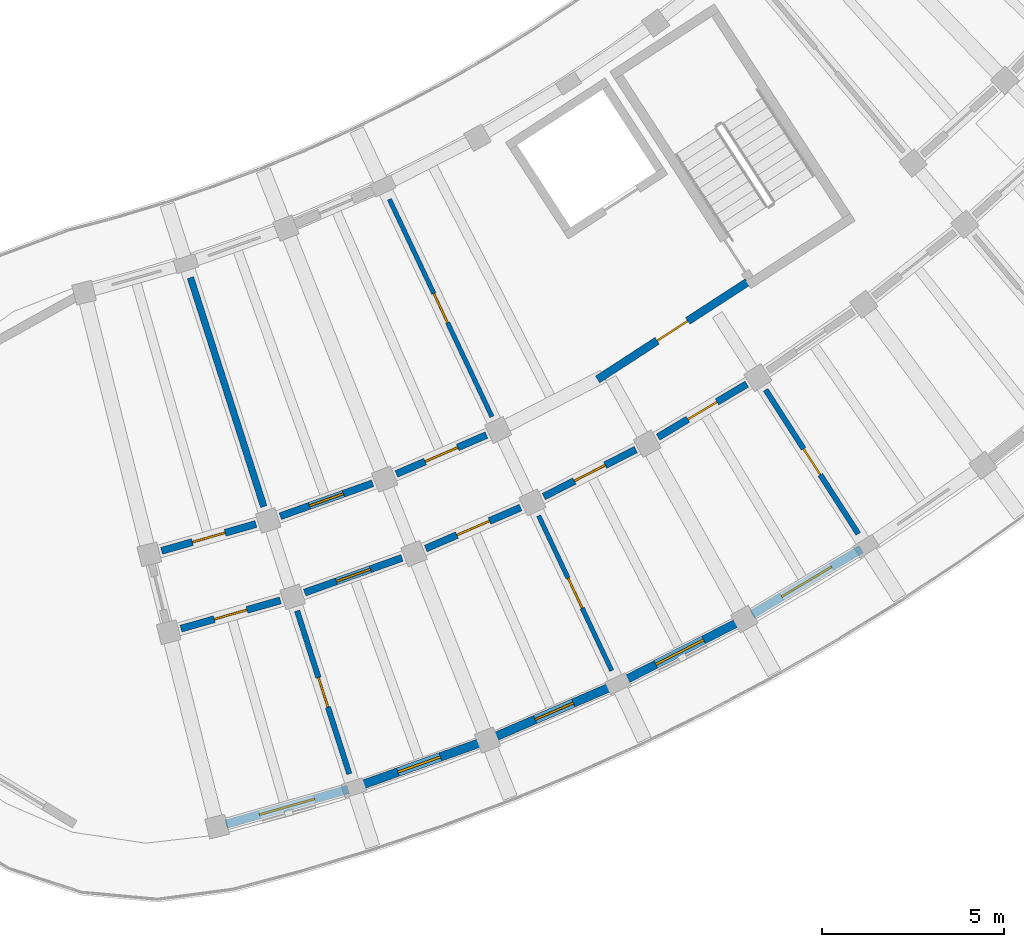
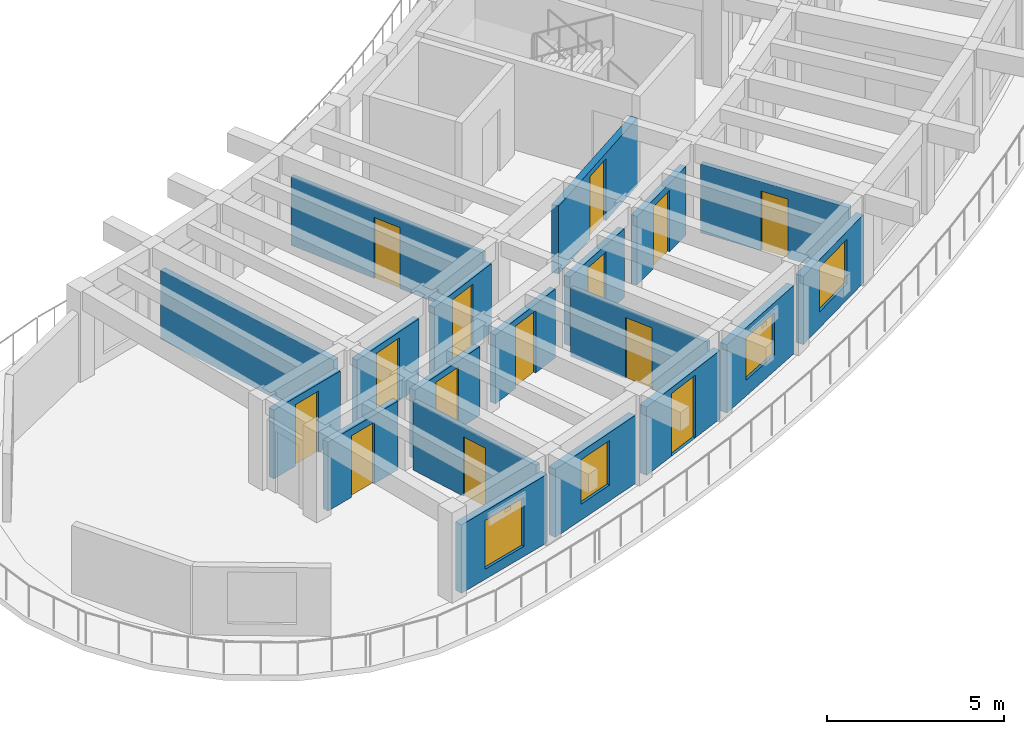
# One storey, part 39 of 69: 19 walls, 14 doors, 4 windows, 18 openings.
"""IFC4 building model written with IfcOpenShell, lengths in metres."""

from ifc_helpers import new_model, si_unit, direction, frame, frame_2d, origin, place, context, subcontext, project, spatial, rectangle, extrude, material, layer, layer_set, type_object, element, fill, save


model = new_model("IFC4")

# Units and contexts
model_context = context("Model", 3, precision=1e-05, world=origin(), true_north=direction((0.0, 1.0)))
body_context = subcontext(model_context, "Body", "Model", "MODEL_VIEW")
ifc_project = project(units=[si_unit("LENGTHUNIT", "METRE"), si_unit("AREAUNIT", "SQUARE_METRE"), si_unit("VOLUMEUNIT", "CUBIC_METRE"), si_unit("PLANEANGLEUNIT", "RADIAN"), si_unit("MASSUNIT", "GRAM", prefix="KILO")], contexts=[model_context])

# Site, building, storey
site_placement = place(None, origin())
site = spatial("IfcSite", under=ifc_project, at=site_placement, CompositionType="ELEMENT")
building_placement = place(site_placement, origin())
building = spatial("IfcBuilding", under=site, at=building_placement, Name="Tanwirah Colonnade Gardens", CompositionType="ELEMENT")
storey_placement = place(building_placement, frame((0.0, 0.0, 15.56005859375)))
storey = spatial("IfcBuildingStorey", under=building, at=storey_placement, Name="L04", CompositionType="ELEMENT", Elevation=15.56005859375)

# Wall, opening, window
ifc_material_1 = material(Name="Limestone architectural precast concrete C40/50", Category="masonry")
ifc_layer_1 = layer(ifc_material_1, 0.239990234375)
ifc_layer_set_1 = layer_set([ifc_layer_1], Name="Limestone architectural precast concrete C40/50")
wall_type_1 = type_object("IfcWallType", Name="EW-PC240", PredefinedType="SOLIDWALL", material=ifc_layer_set_1)
wall_1_placement = place(storey_placement, frame((135.64697265625, 6.787353515625, 0.0), z_axis=(0.0, 0.0, 1.0), x_axis=(0.961871954212, 0.2735001713, 0.0)))
wall_1 = element("IfcWall", 1, at=wall_1_placement, inside=storey, type_object=wall_type_1, Name="Block D L04 OUT Precast Facade Wall 0", PredefinedType="SOLIDWALL", context=body_context, shape_type="SweptSolid", body=[
    extrude(rectangle(XDim=3.48681640625, YDim=0.239990234375, at=frame_2d((1.743408203125, 0.0))), origin(), (0.0, 0.0, 1.0), 2.35498046875),
])
opening_1_placement = place(wall_1_placement, frame((0.953369140625, 0.0, 0.35009765625)))
opening_1 = element("IfcOpeningElement", 2, at=opening_1_placement, cuts=wall_1, Name="Opening WIN-T20", PredefinedType="OPENING", context=body_context, shape_type="SweptSolid", body=[
    extrude(rectangle(XDim=1.580078125, YDim=1.679931640625, at=frame_2d((0.7900390625, 0.83984375))), frame((0.0, 0.1298828125, 0.0), z_axis=(0.0, -1.0, 0.0), x_axis=(1.0, 0.0, 0.0)), (0.0, 0.0, 1.0), 0.260009765625),
])
ifc_material_2 = material(Name="Thermally broken bronze aluminium and solar low-E double glazing", Category="aluminium")
window_type_1 = type_object("IfcWindowType", Name="WIN-T20", PartitioningType="DOUBLE_PANEL_VERTICAL", PredefinedType="WINDOW", material=ifc_material_2)
window_1_placement = place(opening_1_placement, origin())
window_1 = element("IfcWindow", 3, at=window_1_placement, inside=storey, type_object=window_type_1, Name="Facade window D-L04-OUT-00", OverallHeight=1.679931640625, OverallWidth=1.580078125, PartitioningType="SINGLE_PANEL", PredefinedType="WINDOW", context=body_context, shape_type="SweptSolid", body=[
    extrude(rectangle(XDim=1.580078125, YDim=1.679931640625, at=frame_2d((0.7900390625, 0.83984375))), frame((0.0, 0.030029296875, 0.0), z_axis=(0.0, -1.0, 0.0), x_axis=(1.0, 0.0, 0.0)), (0.0, 0.0, 1.0), 0.06005859375),
])
fill(opening_1, window_1)

wall_2_placement = place(storey_placement, frame((139.305419921875, 7.838623046875, 0.0), z_axis=(0.0, 0.0, 1.0), x_axis=(0.941903386561, 0.335883923976, 0.0)))
wall_2 = element("IfcWall", 4, at=wall_2_placement, inside=storey, type_object=wall_type_1, Name="Block D L04 OUT Precast Facade Wall 1", PredefinedType="SOLIDWALL", context=body_context, shape_type="SweptSolid", body=[
    extrude(rectangle(XDim=3.48681640625, YDim=0.239990234375, at=frame_2d((1.743408203125, 0.0))), origin(), (0.0, 0.0, 1.0), 2.35498046875),
])
opening_2_placement = place(wall_2_placement, frame((1.123291015625, 0.0, 0.550048828125)))
opening_2 = element("IfcOpeningElement", 5, at=opening_2_placement, cuts=wall_2, Name="Opening WIN-U03", PredefinedType="OPENING", context=body_context, shape_type="SweptSolid", body=[
    extrude(rectangle(XDim=1.239990234375, YDim=1.534912109375, at=frame_2d((0.6201171875, 0.767578125))), frame((0.0, 0.1298828125, 0.0), z_axis=(0.0, -1.0, 0.0), x_axis=(1.0, 0.0, 0.0)), (0.0, 0.0, 1.0), 0.260009765625),
])
window_type_2 = type_object("IfcWindowType", Name="WIN-U03", PartitioningType="DOUBLE_PANEL_VERTICAL", PredefinedType="WINDOW", material=ifc_material_2)
window_2_placement = place(opening_2_placement, origin())
window_2 = element("IfcWindow", 6, at=window_2_placement, inside=storey, type_object=window_type_2, Name="Facade window D-L04-OUT-01", OverallHeight=1.534912109375, OverallWidth=1.239990234375, PartitioningType="SINGLE_PANEL", PredefinedType="WINDOW", context=body_context, shape_type="SweptSolid", body=[
    extrude(rectangle(XDim=1.239990234375, YDim=1.534912109375, at=frame_2d((0.6201171875, 0.767578125))), frame((0.0, 0.030029296875, 0.0), z_axis=(0.0, -1.0, 0.0), x_axis=(1.0, 0.0, 0.0)), (0.0, 0.0, 1.0), 0.06005859375),
])
fill(opening_2, window_2)

# Wall, opening, door
wall_3_placement = place(storey_placement, frame((143.0546875, 9.19287109375, 0.0), z_axis=(0.0, 0.0, 1.0), x_axis=(0.917938367037, 0.396723019652, 0.0)))
wall_3 = element("IfcWall", 7, at=wall_3_placement, inside=storey, type_object=wall_type_1, Name="Block D L04 OUT Precast Facade Wall 2", PredefinedType="SOLIDWALL", context=body_context, shape_type="SweptSolid", body=[
    extrude(rectangle(XDim=3.48681640625, YDim=0.239990234375, at=frame_2d((1.743408203125, 0.0))), origin(), (0.0, 0.0, 1.0), 2.35498046875),
])
opening_3_placement = place(wall_3_placement, frame((1.17333984375, 0.0, 0.0)))
opening_3 = element("IfcOpeningElement", 8, at=opening_3_placement, cuts=wall_3, Name="Opening L04-ED192", PredefinedType="OPENING", context=body_context, shape_type="SweptSolid", body=[
    extrude(rectangle(XDim=1.139892578125, YDim=2.159912109375, at=frame_2d((0.56982421875, 1.080078125))), frame((0.0, 0.1298828125, 0.0), z_axis=(0.0, -1.0, 0.0), x_axis=(1.0, 0.0, 0.0)), (0.0, 0.0, 1.0), 0.260009765625),
])
ifc_material_3 = material(Name="Bronze aluminium glazed balcony door", Category="aluminium")
door_type_1 = type_object("IfcDoorType", Name="ED-BAL114", OperationType="NOTDEFINED", PredefinedType="DOOR", material=ifc_material_3)
door_1_placement = place(opening_3_placement, origin())
door_1 = element("IfcDoor", 9, at=door_1_placement, inside=storey, type_object=door_type_1, Name="Balcony glazed door L04-ED192", OperationType="SINGLE_SWING_LEFT", OverallHeight=2.159912109375, OverallWidth=1.139892578125, PredefinedType="DOOR", context=body_context, shape_type="SweptSolid", body=[
    extrude(rectangle(XDim=1.139892578125, YDim=2.159912109375, at=frame_2d((0.56982421875, 1.080078125))), frame((0.0, 0.02490234375, 0.0), z_axis=(0.0, -1.0, 0.0), x_axis=(1.0, 0.0, 0.0)), (0.0, 0.0, 1.0), 0.050048828125),
])
fill(opening_3, door_1)

# Wall, opening, window
wall_4_placement = place(storey_placement, frame((146.544677734375, 10.712646484375, 0.0), z_axis=(0.0, 0.0, 1.0), x_axis=(0.890001092753, 0.45595839163, 0.0)))
wall_4 = element("IfcWall", 10, at=wall_4_placement, inside=storey, type_object=wall_type_1, Name="Block D L04 OUT Precast Facade Wall 3", PredefinedType="SOLIDWALL", context=body_context, shape_type="SweptSolid", body=[
    extrude(rectangle(XDim=3.48681640625, YDim=0.239990234375, at=frame_2d((1.743408203125, 0.0))), origin(), (0.0, 0.0, 1.0), 2.35498046875),
])
opening_4_placement = place(wall_4_placement, frame((1.00341796875, 0.0, 0.550048828125)))
opening_4 = element("IfcOpeningElement", 11, at=opening_4_placement, cuts=wall_4, Name="Opening WIN-U09", PredefinedType="OPENING", context=body_context, shape_type="SweptSolid", body=[
    extrude(rectangle(XDim=1.47998046875, YDim=1.4599609375, at=frame_2d((0.739990234375, 0.72998046875))), frame((0.0, 0.1298828125, 0.0), z_axis=(0.0, -1.0, 0.0), x_axis=(1.0, 0.0, 0.0)), (0.0, 0.0, 1.0), 0.260009765625),
])
window_type_3 = type_object("IfcWindowType", Name="WIN-U09", PartitioningType="DOUBLE_PANEL_VERTICAL", PredefinedType="WINDOW", material=ifc_material_2)
window_3_placement = place(opening_4_placement, origin())
window_3 = element("IfcWindow", 12, at=window_3_placement, inside=storey, type_object=window_type_3, Name="Facade window D-L04-OUT-03", OverallHeight=1.4599609375, OverallWidth=1.47998046875, PartitioningType="SINGLE_PANEL", PredefinedType="WINDOW", context=body_context, shape_type="SweptSolid", body=[
    extrude(rectangle(XDim=1.47998046875, YDim=1.4599609375, at=frame_2d((0.739990234375, 0.72998046875))), frame((0.0, 0.030029296875, 0.0), z_axis=(0.0, -1.0, 0.0), x_axis=(1.0, 0.0, 0.0)), (0.0, 0.0, 1.0), 0.06005859375),
])
fill(opening_4, window_3)

wall_5_placement = place(storey_placement, frame((150.0849609375, 12.544677734375, 0.0), z_axis=(0.0, 0.0, 1.0), x_axis=(0.858288874148, 0.513166842766, 0.0)))
wall_5 = element("IfcWall", 13, at=wall_5_placement, inside=storey, type_object=wall_type_1, Name="Block D L04 OUT Precast Facade Wall 4", PredefinedType="SOLIDWALL", context=body_context, shape_type="SweptSolid", body=[
    extrude(rectangle(XDim=3.48681640625, YDim=0.239990234375, at=frame_2d((1.743408203125, 0.0))), origin(), (0.0, 0.0, 1.0), 2.35498046875),
])
opening_5_placement = place(wall_5_placement, frame((0.943359375, 0.0, 0.550048828125)))
opening_5 = element("IfcOpeningElement", 14, at=opening_5_placement, cuts=wall_5, Name="Opening WIN-U12", PredefinedType="OPENING", context=body_context, shape_type="SweptSolid", body=[
    extrude(rectangle(XDim=1.60009765625, YDim=1.534912109375, at=frame_2d((0.800048828125, 0.767578125))), frame((0.0, 0.1298828125, 0.0), z_axis=(0.0, -1.0, 0.0), x_axis=(1.0, 0.0, 0.0)), (0.0, 0.0, 1.0), 0.260009765625),
])
window_type_4 = type_object("IfcWindowType", Name="WIN-U12", PartitioningType="DOUBLE_PANEL_VERTICAL", PredefinedType="WINDOW", material=ifc_material_2)
window_4_placement = place(opening_5_placement, origin())
window_4 = element("IfcWindow", 15, at=window_4_placement, inside=storey, type_object=window_type_4, Name="Facade window D-L04-OUT-04", OverallHeight=1.534912109375, OverallWidth=1.60009765625, PartitioningType="SINGLE_PANEL", PredefinedType="WINDOW", context=body_context, shape_type="SweptSolid", body=[
    extrude(rectangle(XDim=1.60009765625, YDim=1.534912109375, at=frame_2d((0.800048828125, 0.767578125))), frame((0.0, 0.030029296875, 0.0), z_axis=(0.0, -1.0, 0.0), x_axis=(1.0, 0.0, 0.0)), (0.0, 0.0, 1.0), 0.06005859375),
])
fill(opening_5, window_4)

# Wall, opening, door
ifc_material_4 = material(Name="Precast concrete C40/50", Category="concrete")
ifc_layer_2 = layer(ifc_material_4, 0.195068359375)
ifc_layer_set_2 = layer_set([ifc_layer_2], Name="Precast concrete C40/50")
wall_type_2 = type_object("IfcWallType", Name="IW-CORR195", PredefinedType="PARTITIONING", material=ifc_layer_set_2)
wall_6_placement = place(storey_placement, frame((134.41259765625, 12.1513671875, 0.0), z_axis=(0.0, 0.0, 1.0), x_axis=(0.961873892319, 0.273493355085, 0.0)))
wall_6 = element("IfcWall", 16, at=wall_6_placement, inside=storey, type_object=wall_type_2, Name="Block D L04 OUT Corridor Wall 0", PredefinedType="PARTITIONING", context=body_context, shape_type="SweptSolid", body=[
    extrude(rectangle(XDim=2.8369140625, YDim=0.195068359375, at=frame_2d((1.41845703125, 0.0))), origin(), (0.0, 0.0, 1.0), 2.369873046875),
])
opening_6_placement = place(wall_6_placement, frame((0.95361328125, 0.0, 0.0)))
opening_6 = element("IfcOpeningElement", 17, at=opening_6_placement, cuts=wall_6, Name="Opening L04-AD1800", PredefinedType="OPENING", context=body_context, shape_type="SweptSolid", body=[
    extrude(rectangle(XDim=0.929931640625, YDim=2.1201171875, at=frame_2d((0.46484375, 1.06005859375))), frame((0.0, 0.107421875, 0.0), z_axis=(0.0, -1.0, 0.0), x_axis=(1.0, 0.0, 0.0)), (0.0, 0.0, 1.0), 0.215087890625),
])
ifc_material_5 = material(Name="Solid oak fire-resisting apartment entrance door")
door_type_2 = type_object("IfcDoorType", Name="ID-FLT093", OperationType="NOTDEFINED", PredefinedType="DOOR", material=ifc_material_5)
door_2_placement = place(opening_6_placement, origin())
door_2 = element("IfcDoor", 18, at=door_2_placement, inside=storey, type_object=door_type_2, Name="Apartment corridor door L04-AD1800", OperationType="SINGLE_SWING_LEFT", OverallHeight=2.1201171875, OverallWidth=0.929931640625, PredefinedType="DOOR", context=body_context, shape_type="SweptSolid", body=[
    extrude(rectangle(XDim=0.929931640625, YDim=2.1201171875, at=frame_2d((0.46484375, 1.06005859375))), frame((0.0, 0.02490234375, 0.0), z_axis=(0.0, -1.0, 0.0), x_axis=(1.0, 0.0, 0.0)), (0.0, 0.0, 1.0), 0.050048828125),
])
fill(opening_6, door_2)

wall_7_placement = place(storey_placement, frame((133.88037109375, 14.285888671875, 0.0), z_axis=(0.0, 0.0, 1.0), x_axis=(0.961861926514, 0.273535435224, 0.0)))
wall_7 = element("IfcWall", 19, at=wall_7_placement, inside=storey, type_object=wall_type_2, Name="Block D L04 IN Corridor Wall 0", PredefinedType="PARTITIONING", context=body_context, shape_type="SweptSolid", body=[
    extrude(rectangle(XDim=2.69287109375, YDim=0.195068359375, at=frame_2d((1.346435546875, 0.0))), origin(), (0.0, 0.0, 1.0), 2.369873046875),
])
opening_7_placement = place(wall_7_placement, frame((0.881591796875, 0.0, 0.0)))
opening_7 = element("IfcOpeningElement", 20, at=opening_7_placement, cuts=wall_7, Name="Opening L04-AD1801", PredefinedType="OPENING", context=body_context, shape_type="SweptSolid", body=[
    extrude(rectangle(XDim=0.929931640625, YDim=2.1201171875, at=frame_2d((0.46484375, 1.06005859375))), frame((0.0, 0.107421875, 0.0), z_axis=(0.0, -1.0, 0.0), x_axis=(1.0, 0.0, 0.0)), (0.0, 0.0, 1.0), 0.215087890625),
])
door_3_placement = place(opening_7_placement, origin())
door_3 = element("IfcDoor", 21, at=door_3_placement, inside=storey, type_object=door_type_2, Name="Apartment corridor door L04-AD1801", OperationType="SINGLE_SWING_RIGHT", OverallHeight=2.1201171875, OverallWidth=0.929931640625, PredefinedType="DOOR", context=body_context, shape_type="SweptSolid", body=[
    extrude(rectangle(XDim=0.929931640625, YDim=2.1201171875, at=frame_2d((0.46484375, 1.06005859375))), frame((0.0, 0.02490234375, 0.0), z_axis=(0.0, -1.0, 0.0), x_axis=(1.0, 0.0, 0.0)), (0.0, 0.0, 1.0), 0.050048828125),
])
fill(opening_7, door_3)

wall_8_placement = place(storey_placement, frame((137.8076171875, 13.140625, 0.0), z_axis=(0.0, 0.0, 1.0), x_axis=(0.941930628611, 0.335807520589, 0.0)))
wall_8 = element("IfcWall", 22, at=wall_8_placement, inside=storey, type_object=wall_type_2, Name="Block D L04 OUT Corridor Wall 1", PredefinedType="PARTITIONING", context=body_context, shape_type="SweptSolid", body=[
    extrude(rectangle(XDim=2.8369140625, YDim=0.195068359375, at=frame_2d((1.41845703125, 0.0))), origin(), (0.0, 0.0, 1.0), 2.369873046875),
])
opening_8_placement = place(wall_8_placement, frame((0.923583984375, 0.0, 0.0)))
opening_8 = element("IfcOpeningElement", 23, at=opening_8_placement, cuts=wall_8, Name="Opening L04-AD1803", PredefinedType="OPENING", context=body_context, shape_type="SweptSolid", body=[
    extrude(rectangle(XDim=0.989990234375, YDim=2.159912109375, at=frame_2d((0.4951171875, 1.080078125))), frame((0.0, 0.107421875, 0.0), z_axis=(0.0, -1.0, 0.0), x_axis=(1.0, 0.0, 0.0)), (0.0, 0.0, 1.0), 0.215087890625),
])
door_type_3 = type_object("IfcDoorType", Name="ID-FLT099", OperationType="NOTDEFINED", PredefinedType="DOOR", material=ifc_material_5)
door_4_placement = place(opening_8_placement, origin())
door_4 = element("IfcDoor", 24, at=door_4_placement, inside=storey, type_object=door_type_3, Name="Apartment corridor door L04-AD1803", OperationType="SINGLE_SWING_RIGHT", OverallHeight=2.159912109375, OverallWidth=0.989990234375, PredefinedType="DOOR", context=body_context, shape_type="SweptSolid", body=[
    extrude(rectangle(XDim=0.989990234375, YDim=2.159912109375, at=frame_2d((0.4951171875, 1.080078125))), frame((0.0, 0.02490234375, 0.0), z_axis=(0.0, -1.0, 0.0), x_axis=(1.0, 0.0, 0.0)), (0.0, 0.0, 1.0), 0.050048828125),
])
fill(opening_8, door_4)

wall_9_placement = place(storey_placement, frame((137.136962890625, 15.23583984375, 0.0), z_axis=(0.0, 0.0, 1.0), x_axis=(0.941895652647, 0.335905611036, 0.0)))
wall_9 = element("IfcWall", 25, at=wall_9_placement, inside=storey, type_object=wall_type_2, Name="Block D L04 IN Corridor Wall 1", PredefinedType="PARTITIONING", context=body_context, shape_type="SweptSolid", body=[
    extrude(rectangle(XDim=2.69287109375, YDim=0.195068359375, at=frame_2d((1.346435546875, 0.0))), origin(), (0.0, 0.0, 1.0), 2.369873046875),
])
opening_9_placement = place(wall_9_placement, frame((0.8515625, 0.0, 0.0)))
opening_9 = element("IfcOpeningElement", 26, at=opening_9_placement, cuts=wall_9, Name="Opening L04-AD1804", PredefinedType="OPENING", context=body_context, shape_type="SweptSolid", body=[
    extrude(rectangle(XDim=0.989990234375, YDim=2.159912109375, at=frame_2d((0.4951171875, 1.080078125))), frame((0.0, 0.107421875, 0.0), z_axis=(0.0, -1.0, 0.0), x_axis=(1.0, 0.0, 0.0)), (0.0, 0.0, 1.0), 0.215087890625),
])
door_5_placement = place(opening_9_placement, origin())
door_5 = element("IfcDoor", 27, at=door_5_placement, inside=storey, type_object=door_type_3, Name="Apartment corridor door L04-AD1804", OperationType="SINGLE_SWING_LEFT", OverallHeight=2.159912109375, OverallWidth=0.989990234375, PredefinedType="DOOR", context=body_context, shape_type="SweptSolid", body=[
    extrude(rectangle(XDim=0.989990234375, YDim=2.159912109375, at=frame_2d((0.4951171875, 1.080078125))), frame((0.0, 0.02490234375, 0.0), z_axis=(0.0, -1.0, 0.0), x_axis=(1.0, 0.0, 0.0)), (0.0, 0.0, 1.0), 0.050048828125),
])
fill(opening_9, door_5)

wall_10_placement = place(storey_placement, frame((141.130615234375, 14.349853515625, 0.0), z_axis=(0.0, 0.0, 1.0), x_axis=(0.917943439406, 0.396711282991, 0.0)))
wall_10 = element("IfcWall", 28, at=wall_10_placement, inside=storey, type_object=wall_type_2, Name="Block D L04 OUT Corridor Wall 2", PredefinedType="PARTITIONING", context=body_context, shape_type="SweptSolid", body=[
    extrude(rectangle(XDim=2.837158203125, YDim=0.195068359375, at=frame_2d((1.41845703125, 0.0))), origin(), (0.0, 0.0, 1.0), 2.369873046875),
])
opening_10_placement = place(wall_10_placement, frame((0.93359375, 0.0, 0.0)))
opening_10 = element("IfcOpeningElement", 29, at=opening_10_placement, cuts=wall_10, Name="Opening L04-AD1805", PredefinedType="OPENING", context=body_context, shape_type="SweptSolid", body=[
    extrude(rectangle(XDim=0.969970703125, YDim=2.14990234375, at=frame_2d((0.48486328125, 1.074951171875))), frame((0.0, 0.107421875, 0.0), z_axis=(0.0, -1.0, 0.0), x_axis=(1.0, 0.0, 0.0)), (0.0, 0.0, 1.0), 0.215087890625),
])
door_type_4 = type_object("IfcDoorType", Name="ID-FLT097", OperationType="NOTDEFINED", PredefinedType="DOOR", material=ifc_material_5)
door_6_placement = place(opening_10_placement, origin())
door_6 = element("IfcDoor", 30, at=door_6_placement, inside=storey, type_object=door_type_4, Name="Apartment corridor door L04-AD1805", OperationType="SINGLE_SWING_LEFT", OverallHeight=2.14990234375, OverallWidth=0.969970703125, PredefinedType="DOOR", context=body_context, shape_type="SweptSolid", body=[
    extrude(rectangle(XDim=0.969970703125, YDim=2.14990234375, at=frame_2d((0.48486328125, 1.074951171875))), frame((0.0, 0.02490234375, 0.0), z_axis=(0.0, -1.0, 0.0), x_axis=(1.0, 0.0, 0.0)), (0.0, 0.0, 1.0), 0.050048828125),
])
fill(opening_10, door_6)

wall_11_placement = place(storey_placement, frame((140.324462890625, 16.396728515625, 0.0), z_axis=(0.0, 0.0, 1.0), x_axis=(0.91793557165, 0.39672948756, 0.0)))
wall_11 = element("IfcWall", 31, at=wall_11_placement, inside=storey, type_object=wall_type_2, Name="Block D L04 IN Corridor Wall 2", PredefinedType="PARTITIONING", context=body_context, shape_type="SweptSolid", body=[
    extrude(rectangle(XDim=2.69287109375, YDim=0.195068359375, at=frame_2d((1.346435546875, 0.0))), origin(), (0.0, 0.0, 1.0), 2.369873046875),
])
opening_11_placement = place(wall_11_placement, frame((0.861572265625, 0.0, 0.0)))
opening_11 = element("IfcOpeningElement", 32, at=opening_11_placement, cuts=wall_11, Name="Opening L04-AD1806", PredefinedType="OPENING", context=body_context, shape_type="SweptSolid", body=[
    extrude(rectangle(XDim=0.969970703125, YDim=2.14990234375, at=frame_2d((0.48486328125, 1.074951171875))), frame((0.0, 0.107421875, 0.0), z_axis=(0.0, -1.0, 0.0), x_axis=(1.0, 0.0, 0.0)), (0.0, 0.0, 1.0), 0.215087890625),
])
door_7_placement = place(opening_11_placement, origin())
door_7 = element("IfcDoor", 33, at=door_7_placement, inside=storey, type_object=door_type_4, Name="Apartment corridor door L04-AD1806", OperationType="SINGLE_SWING_RIGHT", OverallHeight=2.14990234375, OverallWidth=0.969970703125, PredefinedType="DOOR", context=body_context, shape_type="SweptSolid", body=[
    extrude(rectangle(XDim=0.969970703125, YDim=2.14990234375, at=frame_2d((0.48486328125, 1.074951171875))), frame((0.0, 0.02490234375, 0.0), z_axis=(0.0, -1.0, 0.0), x_axis=(1.0, 0.0, 0.0)), (0.0, 0.0, 1.0), 0.050048828125),
])
fill(opening_11, door_7)

wall_12_placement = place(storey_placement, frame((144.367431640625, 15.773681640625, 0.0), z_axis=(0.0, 0.0, 1.0), x_axis=(0.890030590607, 0.45590080915, 0.0)))
wall_12 = element("IfcWall", 34, at=wall_12_placement, inside=storey, type_object=wall_type_2, Name="Block D L04 OUT Corridor Wall 3", PredefinedType="PARTITIONING", context=body_context, shape_type="SweptSolid", body=[
    extrude(rectangle(XDim=2.837158203125, YDim=0.195068359375, at=frame_2d((1.41845703125, 0.0))), origin(), (0.0, 0.0, 1.0), 2.369873046875),
])
opening_12_placement = place(wall_12_placement, frame((0.943603515625, 0.0, 0.0)))
opening_12 = element("IfcOpeningElement", 35, at=opening_12_placement, cuts=wall_12, Name="Opening L04-AD1809", PredefinedType="OPENING", context=body_context, shape_type="SweptSolid", body=[
    extrude(rectangle(XDim=0.949951171875, YDim=2.1298828125, at=frame_2d((0.47509765625, 1.06494140625))), frame((0.0, 0.107421875, 0.0), z_axis=(0.0, -1.0, 0.0), x_axis=(1.0, 0.0, 0.0)), (0.0, 0.0, 1.0), 0.215087890625),
])
door_type_5 = type_object("IfcDoorType", Name="ID-FLT095", OperationType="NOTDEFINED", PredefinedType="DOOR", material=ifc_material_5)
door_8_placement = place(opening_12_placement, origin())
door_8 = element("IfcDoor", 36, at=door_8_placement, inside=storey, type_object=door_type_5, Name="Apartment corridor door L04-AD1809", OperationType="SINGLE_SWING_RIGHT", OverallHeight=2.1298828125, OverallWidth=0.949951171875, PredefinedType="DOOR", context=body_context, shape_type="SweptSolid", body=[
    extrude(rectangle(XDim=0.949951171875, YDim=2.1298828125, at=frame_2d((0.47509765625, 1.06494140625))), frame((0.0, 0.02490234375, 0.0), z_axis=(0.0, -1.0, 0.0), x_axis=(1.0, 0.0, 0.0)), (0.0, 0.0, 1.0), 0.050048828125),
])
fill(opening_12, door_8)

wall_13_placement = place(storey_placement, frame((147.50439453125, 17.406494140625, 0.0), z_axis=(0.0, 0.0, 1.0), x_axis=(0.858281647443, 0.51317892948, 0.0)))
wall_13 = element("IfcWall", 37, at=wall_13_placement, inside=storey, type_object=wall_type_2, Name="Block D L04 OUT Corridor Wall 4", PredefinedType="PARTITIONING", context=body_context, shape_type="SweptSolid", body=[
    extrude(rectangle(XDim=2.8369140625, YDim=0.195068359375, at=frame_2d((1.41845703125, 0.0))), origin(), (0.0, 0.0, 1.0), 2.369873046875),
])
opening_13_placement = place(wall_13_placement, frame((0.95361328125, 0.0, 0.0)))
opening_13 = element("IfcOpeningElement", 38, at=opening_13_placement, cuts=wall_13, Name="Opening L04-AD1810", PredefinedType="OPENING", context=body_context, shape_type="SweptSolid", body=[
    extrude(rectangle(XDim=0.929931640625, YDim=2.1201171875, at=frame_2d((0.46484375, 1.06005859375))), frame((0.0, 0.107421875, 0.0), z_axis=(0.0, -1.0, 0.0), x_axis=(1.0, 0.0, 0.0)), (0.0, 0.0, 1.0), 0.215087890625),
])
door_9_placement = place(opening_13_placement, origin())
door_9 = element("IfcDoor", 39, at=door_9_placement, inside=storey, type_object=door_type_2, Name="Apartment corridor door L04-AD1810", OperationType="SINGLE_SWING_LEFT", OverallHeight=2.1201171875, OverallWidth=0.929931640625, PredefinedType="DOOR", context=body_context, shape_type="SweptSolid", body=[
    extrude(rectangle(XDim=0.929931640625, YDim=2.1201171875, at=frame_2d((0.46484375, 1.06005859375))), frame((0.0, 0.02490234375, 0.0), z_axis=(0.0, -1.0, 0.0), x_axis=(1.0, 0.0, 0.0)), (0.0, 0.0, 1.0), 0.050048828125),
])
fill(opening_13, door_9)

# Wall
ifc_layer_3 = layer(ifc_material_4, 0.18505859375)
ifc_layer_set_3 = layer_set([ifc_layer_3], Name="Precast concrete C40/50")
wall_type_3 = type_object("IfcWallType", Name="IW-DEM185", PredefinedType="PARTITIONING", material=ifc_layer_set_3)
wall_14_placement = place(storey_placement, frame((134.673095703125, 21.78515625, 0.0), z_axis=(0.0, 0.0, 1.0), x_axis=(0.304875046605, -0.95239235925, 0.0)))
element("IfcWall", 40, at=wall_14_placement, inside=storey, type_object=wall_type_3, Name="Block D L04 Inner Radial Partition 0", PredefinedType="PARTITIONING", context=body_context, shape_type="SweptSolid", body=[
    extrude(rectangle(XDim=6.60009765625, YDim=0.18505859375, at=frame_2d((3.300048828125, 0.0))), origin(), (0.0, 0.0, 1.0), 2.369873046875),
])

# Wall, opening, door
ifc_material_6 = material(Name="Autoclaved aerated masonry blockwork", Category="masonry")
ifc_layer_4 = layer(ifc_material_6, 0.219970703125)
ifc_layer_set_4 = layer_set([ifc_layer_4], Name="Autoclaved aerated masonry blockwork")
wall_type_4 = type_object("IfcWallType", Name="IW-FFL220", PredefinedType="PARTITIONING", material=ifc_layer_set_4)
wall_15_placement = place(storey_placement, frame((149.95458984375, 21.658203125, 0.0), z_axis=(0.0, 0.0, 1.0), x_axis=(-0.838681446513, -0.544622283124, 0.0)))
wall_15 = element("IfcWall", 41, at=wall_15_placement, inside=storey, type_object=wall_type_4, Name="CORE-D1 L04 Enclosed Lobby Fire Wall", PredefinedType="PARTITIONING", context=body_context, shape_type="SweptSolid", body=[
    extrude(rectangle(XDim=4.900146484375, YDim=0.219970703125, at=frame_2d((2.4501953125, 0.0))), origin(), (0.0, 0.0, 1.0), 2.33984375),
])
opening_14_placement = place(wall_15_placement, frame((1.949951171875, 0.0, 0.0)))
opening_14 = element("IfcOpeningElement", 42, at=opening_14_placement, cuts=wall_15, Name="Opening L04-LD184", PredefinedType="OPENING", context=body_context, shape_type="SweptSolid", body=[
    extrude(rectangle(XDim=1.0, YDim=2.14990234375, at=frame_2d((0.5, 1.074951171875))), frame((0.0, 0.119873046875, 0.0), z_axis=(0.0, -1.0, 0.0), x_axis=(1.0, 0.0, 0.0)), (0.0, 0.0, 1.0), 0.239990234375),
])
ifc_material_7 = material(Name="Acoustic fire-resisting lobby door")
door_type_6 = type_object("IfcDoorType", Name="ID-FFL100", OperationType="NOTDEFINED", PredefinedType="DOOR", material=ifc_material_7)
door_10_placement = place(opening_14_placement, origin())
door_10 = element("IfcDoor", 43, at=door_10_placement, inside=storey, type_object=door_type_6, Name="CORE-D1 L04 Lobby Fire Door L04-LD184", OperationType="SINGLE_SWING_LEFT", OverallHeight=2.14990234375, OverallWidth=1.0, PredefinedType="DOOR", context=body_context, shape_type="SweptSolid", body=[
    extrude(rectangle(XDim=1.0, YDim=2.14990234375, at=frame_2d((0.5, 1.074951171875))), frame((0.0, 0.02490234375, 0.0), z_axis=(0.0, -1.0, 0.0), x_axis=(1.0, 0.0, 0.0)), (0.0, 0.0, 1.0), 0.050048828125),
])
fill(opening_14, door_10)

ifc_material_8 = material(Name="Moisture-resistant gypsum stud partition")
ifc_layer_5 = layer(ifc_material_8, 0.125)
ifc_layer_set_5 = layer_set([ifc_layer_5], Name="Moisture-resistant gypsum stud partition")
wall_type_5 = type_object("IfcWallType", Name="IW-INT125", PredefinedType="PARTITIONING", material=ifc_layer_set_5)
wall_16_placement = place(storey_placement, frame((144.2265625, 15.25244140625, 0.0), z_axis=(0.0, 0.0, 1.0), x_axis=(0.426567365945, -0.904455793453, 0.0)))
wall_16 = element("IfcWall", 44, at=wall_16_placement, inside=storey, type_object=wall_type_5, Name="Block D L04 Radial Partition 2", PredefinedType="PARTITIONING", context=body_context, shape_type="SweptSolid", body=[
    extrude(rectangle(XDim=4.699951171875, YDim=0.125, at=frame_2d((2.35009765625, 0.0))), origin(), (0.0, 0.0, 1.0), 2.369873046875),
])
opening_15_placement = place(wall_16_placement, frame((1.89501953125, 0.0, 0.0)))
opening_15 = element("IfcOpeningElement", 45, at=opening_15_placement, cuts=wall_16, Name="Opening L04-RD1807", PredefinedType="OPENING", context=body_context, shape_type="SweptSolid", body=[
    extrude(rectangle(XDim=0.909912109375, YDim=2.10009765625, at=frame_2d((0.455078125, 1.050048828125))), frame((0.0, 0.072509765625, 0.0), z_axis=(0.0, -1.0, 0.0), x_axis=(1.0, 0.0, 0.0)), (0.0, 0.0, 1.0), 0.14501953125),
])
ifc_material_9 = material(Name="Painted hardwood internal room door", Category="wood")
door_type_7 = type_object("IfcDoorType", Name="ID-RM091", OperationType="NOTDEFINED", PredefinedType="DOOR", material=ifc_material_9)
door_11_placement = place(opening_15_placement, origin())
door_11 = element("IfcDoor", 46, at=door_11_placement, inside=storey, type_object=door_type_7, Name="Internal apartment door L04-RD1807", OperationType="SINGLE_SWING_LEFT", OverallHeight=2.10009765625, OverallWidth=0.909912109375, PredefinedType="DOOR", context=body_context, shape_type="SweptSolid", body=[
    extrude(rectangle(XDim=0.909912109375, YDim=2.10009765625, at=frame_2d((0.455078125, 1.050048828125))), frame((0.0, 0.02490234375, 0.0), z_axis=(0.0, -1.0, 0.0), x_axis=(1.0, 0.0, 0.0)), (0.0, 0.0, 1.0), 0.050048828125),
])
fill(opening_15, door_11)

wall_17_placement = place(storey_placement, frame((140.131591796875, 23.935302734375, 0.0), z_axis=(0.0, 0.0, 1.0), x_axis=(0.426573573579, -0.904452865728, 0.0)))
wall_17 = element("IfcWall", 47, at=wall_17_placement, inside=storey, type_object=wall_type_5, Name="Block D L04 Inner Radial Partition 2", PredefinedType="PARTITIONING", context=body_context, shape_type="SweptSolid", body=[
    extrude(rectangle(XDim=6.60009765625, YDim=0.125, at=frame_2d((3.300048828125, 0.0))), origin(), (0.0, 0.0, 1.0), 2.369873046875),
])
opening_16_placement = place(wall_17_placement, frame((2.85498046875, 0.0, 0.0)))
opening_16 = element("IfcOpeningElement", 48, at=opening_16_placement, cuts=wall_17, Name="Opening L04-RD1808", PredefinedType="OPENING", context=body_context, shape_type="SweptSolid", body=[
    extrude(rectangle(XDim=0.889892578125, YDim=2.10009765625, at=frame_2d((0.44482421875, 1.050048828125))), frame((0.0, 0.072509765625, 0.0), z_axis=(0.0, -1.0, 0.0), x_axis=(1.0, 0.0, 0.0)), (0.0, 0.0, 1.0), 0.14501953125),
])
ifc_material_10 = material(Name="Painted hardwood bedroom door", Category="wood")
door_type_8 = type_object("IfcDoorType", Name="ID-RM089", OperationType="NOTDEFINED", PredefinedType="DOOR", material=ifc_material_10)
door_12_placement = place(opening_16_placement, origin())
door_12 = element("IfcDoor", 49, at=door_12_placement, inside=storey, type_object=door_type_8, Name="Internal apartment door L04-RD1808", OperationType="SINGLE_SWING_RIGHT", OverallHeight=2.10009765625, OverallWidth=0.889892578125, PredefinedType="DOOR", context=body_context, shape_type="SweptSolid", body=[
    extrude(rectangle(XDim=0.889892578125, YDim=2.10009765625, at=frame_2d((0.44482421875, 1.050048828125))), frame((0.0, 0.02490234375, 0.0), z_axis=(0.0, -1.0, 0.0), x_axis=(1.0, 0.0, 0.0)), (0.0, 0.0, 1.0), 0.050048828125),
])
fill(opening_16, door_12)

ifc_material_11 = material(Name="Water-resistant acoustic plumbing partition")
ifc_layer_6 = layer(ifc_material_11, 0.14990234375)
ifc_layer_set_6 = layer_set([ifc_layer_6], Name="Water-resistant acoustic plumbing partition")
wall_type_6 = type_object("IfcWallType", Name="IW-WET150", PredefinedType="PLUMBINGWALL", material=ifc_layer_set_6)
wall_18_placement = place(storey_placement, frame((137.599853515625, 12.64208984375, 0.0), z_axis=(0.0, 0.0, 1.0), x_axis=(0.304860540454, -0.952397002764, 0.0)))
wall_18 = element("IfcWall", 50, at=wall_18_placement, inside=storey, type_object=wall_type_6, Name="Block D L04 Radial Partition 0", PredefinedType="PLUMBINGWALL", context=body_context, shape_type="SweptSolid", body=[
    extrude(rectangle(XDim=4.699951171875, YDim=0.14990234375, at=frame_2d((2.35009765625, 0.0))), origin(), (0.0, 0.0, 1.0), 2.369873046875),
])
opening_17_placement = place(wall_18_placement, frame((1.925048828125, 0.0, 0.0)))
opening_17 = element("IfcOpeningElement", 51, at=opening_17_placement, cuts=wall_18, Name="Opening L04-RD1802", PredefinedType="OPENING", context=body_context, shape_type="SweptSolid", body=[
    extrude(rectangle(XDim=0.85009765625, YDim=2.050048828125, at=frame_2d((0.425048828125, 1.02490234375))), frame((0.0, 0.0849609375, 0.0), z_axis=(0.0, -1.0, 0.0), x_axis=(1.0, 0.0, 0.0)), (0.0, 0.0, 1.0), 0.169921875),
])
ifc_material_12 = material(Name="Moisture-resistant en-suite door")
door_type_9 = type_object("IfcDoorType", Name="ID-WET085", OperationType="NOTDEFINED", PredefinedType="DOOR", material=ifc_material_12)
door_13_placement = place(opening_17_placement, origin())
door_13 = element("IfcDoor", 52, at=door_13_placement, inside=storey, type_object=door_type_9, Name="Internal apartment door L04-RD1802", OperationType="SINGLE_SWING_LEFT", OverallHeight=2.050048828125, OverallWidth=0.85009765625, PredefinedType="DOOR", context=body_context, shape_type="SweptSolid", body=[
    extrude(rectangle(XDim=0.85009765625, YDim=2.050048828125, at=frame_2d((0.425048828125, 1.02490234375))), frame((0.0, 0.02490234375, 0.0), z_axis=(0.0, -1.0, 0.0), x_axis=(1.0, 0.0, 0.0)), (0.0, 0.0, 1.0), 0.050048828125),
])
fill(opening_17, door_13)

wall_19_placement = place(storey_placement, frame((150.4560546875, 18.705322265625, 0.0), z_axis=(0.0, 0.0, 1.0), x_axis=(0.540959731567, -0.84104849374, 0.0)))
wall_19 = element("IfcWall", 53, at=wall_19_placement, inside=storey, type_object=wall_type_6, Name="Block D L04 Radial Partition 4", PredefinedType="PLUMBINGWALL", context=body_context, shape_type="SweptSolid", body=[
    extrude(rectangle(XDim=4.699951171875, YDim=0.14990234375, at=frame_2d((2.35009765625, 0.0))), origin(), (0.0, 0.0, 1.0), 2.369873046875),
])
opening_18_placement = place(wall_19_placement, frame((1.925048828125, 0.0, 0.0)))
opening_18 = element("IfcOpeningElement", 54, at=opening_18_placement, cuts=wall_19, Name="Opening L04-RD1811", PredefinedType="OPENING", context=body_context, shape_type="SweptSolid", body=[
    extrude(rectangle(XDim=0.85009765625, YDim=2.050048828125, at=frame_2d((0.425048828125, 1.02490234375))), frame((0.0, 0.0849609375, 0.0), z_axis=(0.0, -1.0, 0.0), x_axis=(1.0, 0.0, 0.0)), (0.0, 0.0, 1.0), 0.169921875),
])
door_14_placement = place(opening_18_placement, origin())
door_14 = element("IfcDoor", 55, at=door_14_placement, inside=storey, type_object=door_type_9, Name="Internal apartment door L04-RD1811", OperationType="SINGLE_SWING_LEFT", OverallHeight=2.050048828125, OverallWidth=0.85009765625, PredefinedType="DOOR", context=body_context, shape_type="SweptSolid", body=[
    extrude(rectangle(XDim=0.85009765625, YDim=2.050048828125, at=frame_2d((0.425048828125, 1.02490234375))), frame((0.0, 0.02490234375, 0.0), z_axis=(0.0, -1.0, 0.0), x_axis=(1.0, 0.0, 0.0)), (0.0, 0.0, 1.0), 0.050048828125),
])
fill(opening_18, door_14)

save(model, "model.ifc")
